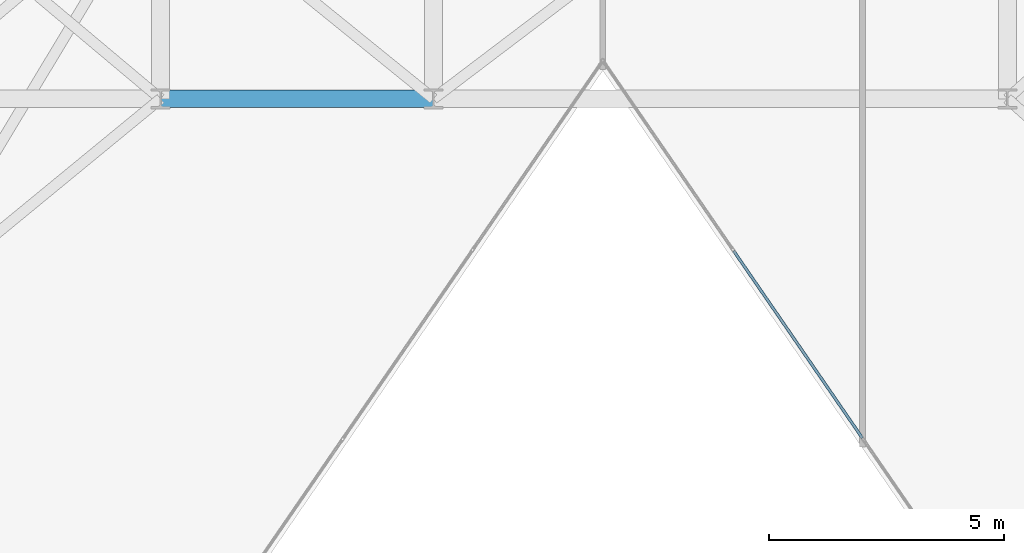
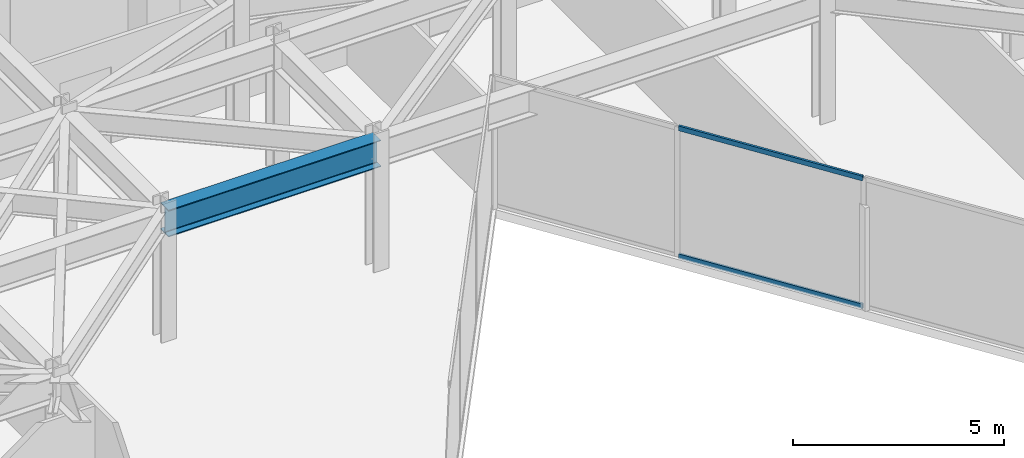
# One storey, part 5 of 21: 2 members, 1 beam, 1 element without a shape of its own.
"""IFC4 building model written with IfcOpenShell, lengths in metres."""

from ifc_helpers import new_model, si_unit, direction, frame, origin, origin_2d, place, context, subcontext, project, spatial, hollow_rectangle, i_section, extrude, material, layer, layer_set, material_profile, profile_set, type_object, element, aggregate, save


model = new_model("IFC4")

# Units and contexts
model_context = context("Model", 3, precision=1e-05, world=origin(), true_north=direction((0.0, 1.0)))
body_context = subcontext(model_context, "Body", "Model", "MODEL_VIEW")
ifc_project = project(units=[si_unit("LENGTHUNIT", "METRE"), si_unit("AREAUNIT", "SQUARE_METRE"), si_unit("VOLUMEUNIT", "CUBIC_METRE"), si_unit("PLANEANGLEUNIT", "RADIAN"), si_unit("MASSUNIT", "GRAM", prefix="KILO")], contexts=[model_context])

# Site, building, storey
site_placement = place(None, origin())
site = spatial("IfcSite", under=ifc_project, at=site_placement, CompositionType="ELEMENT")
building_placement = place(site_placement, origin())
building = spatial("IfcBuilding", under=site, at=building_placement, Name="Kravanh Interchange Tower", CompositionType="ELEMENT")
storey_placement = place(building_placement, frame((0.0, 0.0, 176.5)))
storey = spatial("IfcBuildingStorey", under=building, at=storey_placement, Name="L42", CompositionType="ELEMENT", Elevation=176.5)

# Curtain wall, members
ifc_material_1 = material(Name="Anodised Bronze Aluminium", Category="aluminium")
ifc_layer = layer(ifc_material_1, 0.179931640625)
ifc_layer_set = layer_set([ifc_layer], Name="Unitised Curtain Wall System CW-Z3 Upper Office")
curtain_wall_type = type_object("IfcCurtainWallType", Name="Unitised Curtain Wall System CW-Z3 Upper Office", PredefinedType="NOTDEFINED", material=ifc_layer_set)
curtain_wall_placement = place(storey_placement, origin())
curtain_wall = element("IfcCurtainWall", 1, at=curtain_wall_placement, inside=storey, type_object=curtain_wall_type, Name="L42 Unitised Curtain Wall CW-L42-03", PredefinedType="NOTDEFINED")
ifc_material_2 = material(Name="Anodised Bronze Aluminium", Category="aluminium")
ifc_material_profile_1 = material_profile(ifc_material_2, hollow_rectangle(XDim=0.06005859375, YDim=0.139892578125, WallThickness=0.00390625, at=origin_2d()), Name="ALU60X140X4")
ifc_profile_set_1 = profile_set([ifc_material_profile_1], Name="Anodised Bronze Aluminium")
member_type = type_object("IfcMemberType", Name="Curtain Wall Transom ALU60X140X4 Bronze", PredefinedType="USERDEFINED", material=ifc_profile_set_1)
member_1_placement = place(storey_placement, frame((47.714599609375, 19.590576171875, 0.030029296875), z_axis=(-0.566537417683, 0.824036015211, 0.0), x_axis=(-0.824036015211, -0.566537417683, 0.0)))
member_1 = element("IfcMember", 2, at=member_1_placement, type_object=member_type, Name="CW-Z3 transom 3.1", ObjectType="TRANSOM", PredefinedType="USERDEFINED", context=body_context, shape_type="SweptSolid", body=[
    extrude(hollow_rectangle(XDim=0.06005859375, YDim=0.139892578125, WallThickness=0.00390625, at=origin_2d()), origin(), (0.0, 0.0, 1.0), 4.822265625),
])
member_2_placement = place(storey_placement, frame((47.714599609375, 19.590576171875, 3.72509765625), z_axis=(-0.566537417683, 0.824036015211, 0.0), x_axis=(-0.824036015211, -0.566537417683, 0.0)))
member_2 = element("IfcMember", 3, at=member_2_placement, type_object=member_type, Name="CW-Z3 transom 3.2", ObjectType="TRANSOM", PredefinedType="USERDEFINED", context=body_context, shape_type="SweptSolid", body=[
    extrude(hollow_rectangle(XDim=0.06005859375, YDim=0.139892578125, WallThickness=0.00390625, at=origin_2d()), origin(), (0.0, 0.0, 1.0), 4.822265625),
])
aggregate(curtain_wall, [member_1, member_2])

# Beam
ifc_material_3 = material(Name="Structural Steel S355", Category="steel")
ifc_material_profile_2 = material_profile(ifc_material_3, i_section(OverallWidth=0.381103515625, OverallDepth=0.77294921875, WebThickness=0.0166015625, FlangeThickness=0.027099609375, FilletRadius=0.02490234375, at=origin_2d()), Name="W30X173")
ifc_profile_set_2 = profile_set([ifc_material_profile_2], Name="Structural Steel S355")
beam_type = type_object("IfcBeamType", Name="Floor Beam W30X173 Structural Steel S355", PredefinedType="BEAM", material=ifc_profile_set_2)
beam_placement = place(storey_placement, frame((32.800048828125, 26.800048828125, 3.368408203125), z_axis=(1.0, 0.0, 0.0), x_axis=(0.0, 1.0, 0.0)))
element("IfcBeam", 4, at=beam_placement, inside=storey, type_object=beam_type, Name="L42 Primary Floor Girder 42", PredefinedType="BEAM", context=body_context, shape_type="SweptSolid", body=[
    extrude(i_section(OverallWidth=0.381103515625, OverallDepth=0.77294921875, WebThickness=0.0166015625, FlangeThickness=0.027099609375, FilletRadius=0.02490234375, at=origin_2d()), origin(), (0.0, 0.0, 1.0), 5.800048828125),
])

save(model, "model.ifc")
